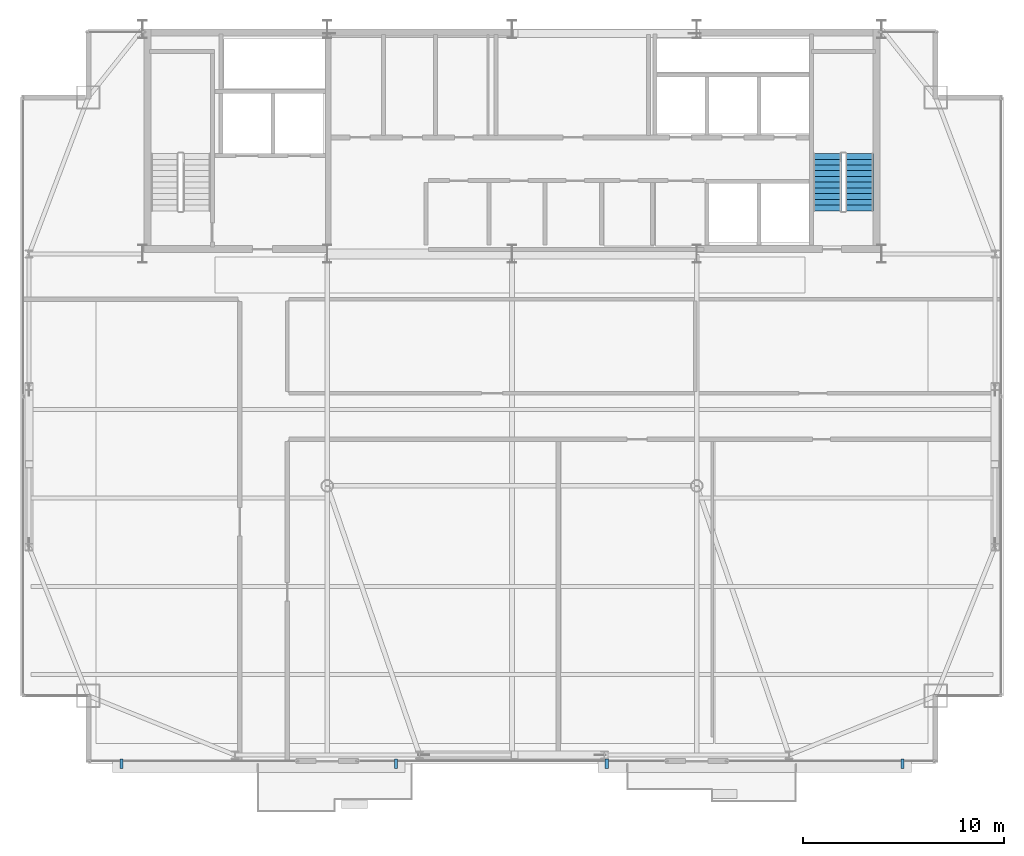
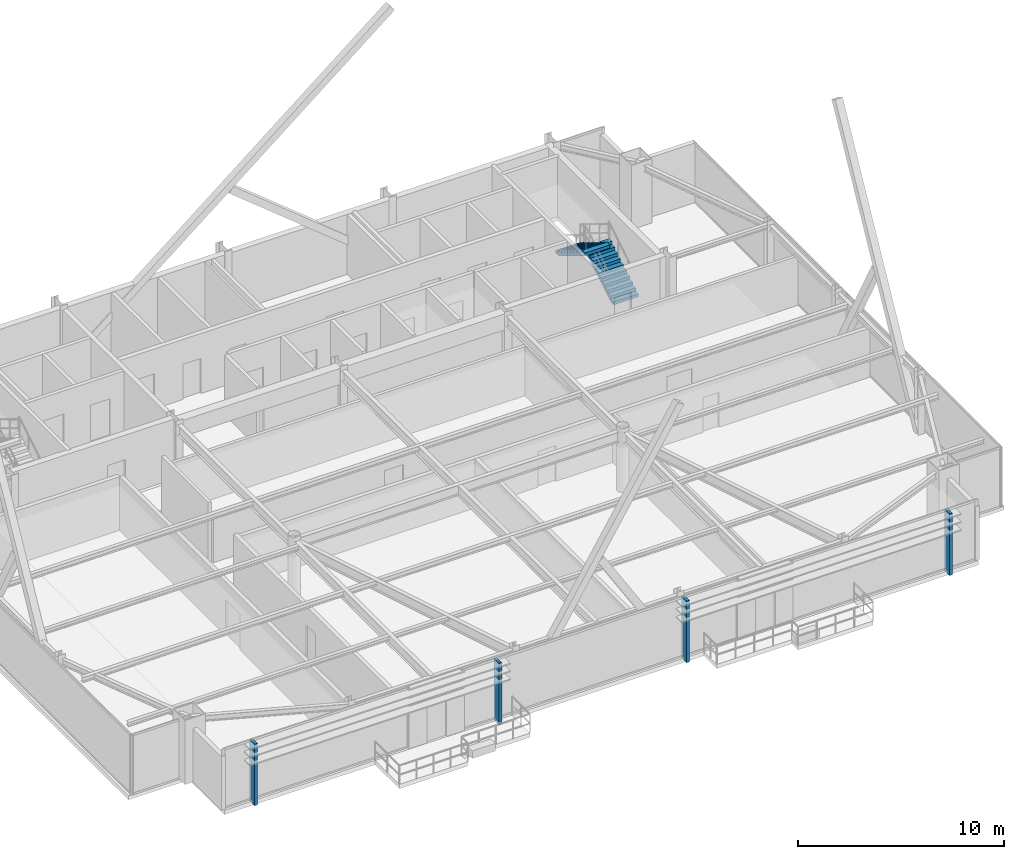
# One storey, part 29 of 31: 4 discrete accessories, 2 stair flights, 1 element without a shape of its own.
"""IFC4 building model written with IfcOpenShell, lengths in metres."""

from ifc_helpers import new_model, si_unit, direction, frame, origin, origin_2d, place, context, subcontext, project, spatial, polyline, rectangle, outline, extrude, source, transform, mapped, material, layer, layer_set, type_object, type_shapes, element, aggregate, save


model = new_model("IFC4")

# Units and contexts
model_context = context("Model", 3, precision=1e-05, world=origin(), true_north=direction((0.0, 1.0)))
body_context = subcontext(model_context, "Body", "Model", "MODEL_VIEW")
ifc_project = project(units=[si_unit("LENGTHUNIT", "METRE"), si_unit("AREAUNIT", "SQUARE_METRE"), si_unit("VOLUMEUNIT", "CUBIC_METRE"), si_unit("PLANEANGLEUNIT", "RADIAN"), si_unit("MASSUNIT", "GRAM", prefix="KILO")], contexts=[model_context])

# Site, building, storey
site_placement = place(None, origin())
site = spatial("IfcSite", under=ifc_project, at=site_placement, CompositionType="ELEMENT")
building_placement = place(site_placement, origin())
building = spatial("IfcBuilding", under=site, at=building_placement, Name="Varnel Quay Broadcast Tower", CompositionType="ELEMENT")
storey_placement = place(building_placement, frame((0.0, 0.0, 239.39990234375)))
storey = spatial("IfcBuildingStorey", under=building, at=storey_placement, Name="L59", CompositionType="ELEMENT", Elevation=239.39990234375)

# Stair, stair flights
ifc_material_1 = material(Name="Precast Structural Concrete C40/50", Category="concrete")
stair_type = type_object("IfcStairType", Name="Stair_ST-02", PredefinedType="HALF_TURN_STAIR", material=ifc_material_1)
stair_placement = place(storey_placement, origin())
stair = element("IfcStair", 1, at=stair_placement, inside=storey, type_object=stair_type, Name="L59 East Core Exit Stair 2", PredefinedType="HALF_TURN_STAIR")
stair_flight_type = type_object("IfcStairFlightType", Name="Flight_ST-02", PredefinedType="STRAIGHT", material=ifc_material_1)
stair_flight_1_placement = place(storey_placement, frame((51.300048828125, 37.75, 0.0), z_axis=(0.0, 0.0, 1.0), x_axis=(0.0, 1.0, 0.0)))
stair_flight_1 = element("IfcStairFlight", 2, at=stair_flight_1_placement, type_object=stair_flight_type, Name="ST-02 flight 1", NumberOfRisers=11, NumberOfTreads=10, PredefinedType="STRAIGHT", RiserHeight=0.172727273, TreadLength=0.285, context=body_context, shape_type="SweptSolid", body=[
    extrude(outline(polyline([(0.0, 0.0), (0.0, 0.172607421875), (0.284912109375, 0.172607421875), (0.284912109375, 0.345458984375), (0.570068359375, 0.345458984375), (0.570068359375, 0.51806640625), (0.85498046875, 0.51806640625), (0.85498046875, 0.69091796875), (1.139892578125, 0.69091796875), (1.139892578125, 0.863525390625), (1.425048828125, 0.863525390625), (1.425048828125, 1.036376953125), (1.7099609375, 1.036376953125), (1.7099609375, 1.208984375), (1.9951171875, 1.208984375), (1.9951171875, 1.3818359375), (2.280029296875, 1.3818359375), (2.280029296875, 1.554443359375), (2.56494140625, 1.554443359375), (2.56494140625, 1.727294921875), (2.85009765625, 1.727294921875), (2.85009765625, 1.89990234375), (2.85009765625, 1.552001953125), (0.289306640625, 0.0), (0.0, 0.0)])), frame((0.0, 0.699951171875, 0.0), z_axis=(0.0, -1.0, 0.0), x_axis=(1.0, 0.0, 0.0)), (0.0, 0.0, 1.0), 1.39990234375),
])
stair_flight_2_placement = place(storey_placement, frame((49.699951171875, 40.60009765625, 1.900146484375), z_axis=(0.0, 0.0, 1.0), x_axis=(0.0, -1.0, 0.0)))
stair_flight_2 = element("IfcStairFlight", 3, at=stair_flight_2_placement, type_object=stair_flight_type, Name="ST-02 flight 2", NumberOfRisers=11, NumberOfTreads=10, PredefinedType="STRAIGHT", RiserHeight=0.172727273, TreadLength=0.285, context=body_context, shape_type="SweptSolid", body=[
    extrude(outline(polyline([(0.0, 0.0), (0.0, 0.172607421875), (0.284912109375, 0.172607421875), (0.284912109375, 0.345458984375), (0.570068359375, 0.345458984375), (0.570068359375, 0.51806640625), (0.85498046875, 0.51806640625), (0.85498046875, 0.69091796875), (1.139892578125, 0.69091796875), (1.139892578125, 0.863525390625), (1.425048828125, 0.863525390625), (1.425048828125, 1.036376953125), (1.7099609375, 1.036376953125), (1.7099609375, 1.208984375), (1.9951171875, 1.208984375), (1.9951171875, 1.3818359375), (2.280029296875, 1.3818359375), (2.280029296875, 1.554443359375), (2.56494140625, 1.554443359375), (2.56494140625, 1.727294921875), (2.85009765625, 1.727294921875), (2.85009765625, 1.89990234375), (2.85009765625, 1.552001953125), (0.289306640625, 0.0), (0.0, 0.0)])), frame((0.0, 0.699951171875, 0.0), z_axis=(0.0, -1.0, 0.0), x_axis=(1.0, 0.0, 0.0)), (0.0, 0.0, 1.0), 1.39990234375),
])
aggregate(stair, [stair_flight_1, stair_flight_2])

# Discrete accessories
ifc_material_2 = material(Name="Anodised Bronze Aluminium 6063-T6", Category="aluminium")
ifc_layer = layer(ifc_material_2, 0.47998046875, Name="Anodised Bronze Aluminium 6063-T6")
ifc_layer_set = layer_set([ifc_layer], Name="Anodised Bronze Aluminium 6063-T6")
discrete_accessory_type = type_object("IfcDiscreteAccessoryType", Name="Acc_FacadeBracket", PredefinedType="BRACKET", material=ifc_layer_set)
shared_shape = source(origin(), body_context, "Body", "SweptSolid", [
    extrude(rectangle(XDim=0.159912109375, YDim=0.47998046875, at=origin_2d()), origin(), (0.0, 0.0, 1.0), 3.64990234375),
])
type_shapes(discrete_accessory_type, [shared_shape])
for number, where, z_axis, x_axis, name in (
    (4, (14.550048828125, 10.219970703125, -0.14990234375), (0.0, 0.0, 1.0), (1.0, 0.0, 0.0), "L59 Lobe 1 Louvre Support Bracket 1"),
    (5, (28.220947265625, 10.219970703125, -0.14990234375), (0.0, 0.0, 1.0), (1.0, 0.0, 0.0), "L59 Lobe 1 Louvre Support Bracket 2"),
    (6, (38.720947265625, 10.219970703125, -0.14990234375), (0.0, 0.0, 1.0), (1.0, 0.0, 0.0), "L59 Lobe 2 Louvre Support Bracket 1"),
    (7, (53.449951171875, 10.219970703125, -0.14990234375), (0.0, 0.0, 1.0), (1.0, 0.0, 0.0), "L59 Lobe 2 Louvre Support Bracket 2"),
):
    element("IfcDiscreteAccessory", number, at=place(storey_placement, frame(where, z_axis=z_axis, x_axis=x_axis)), inside=storey, type_object=discrete_accessory_type, Name=name, PredefinedType="BRACKET", context=body_context, shape_type="MappedRepresentation", body=[
        mapped(shared_shape, transform((0.0, 0.0, 0.0), x_axis=(1.0, 0.0, 0.0), y_axis=(0.0, 1.0, 0.0), z_axis=(0.0, 0.0, 1.0), scale=1.0)),
    ])

save(model, "model.ifc")
